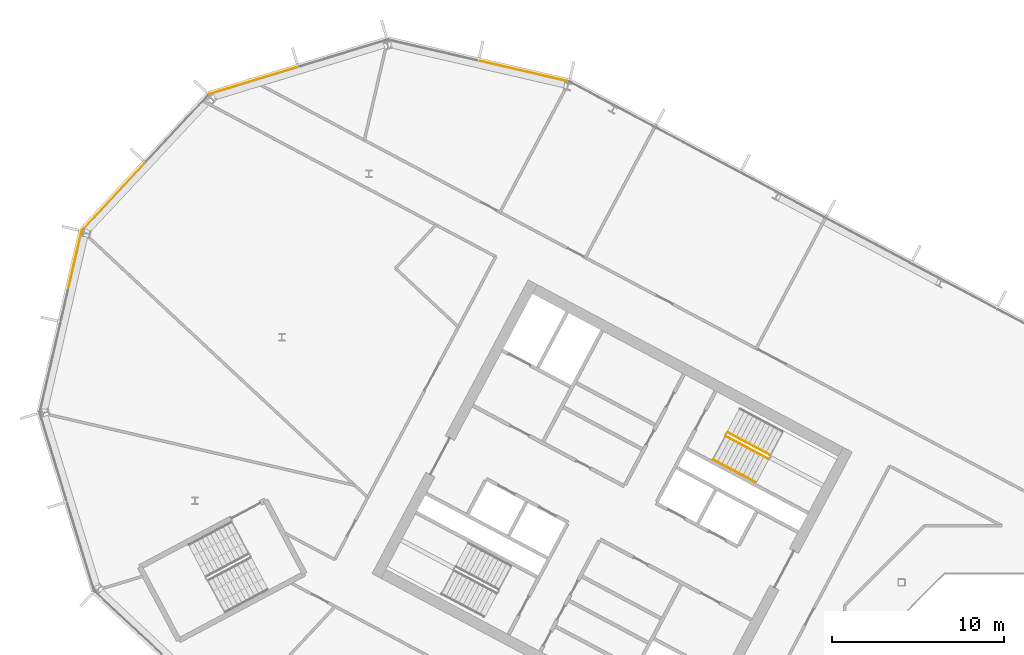
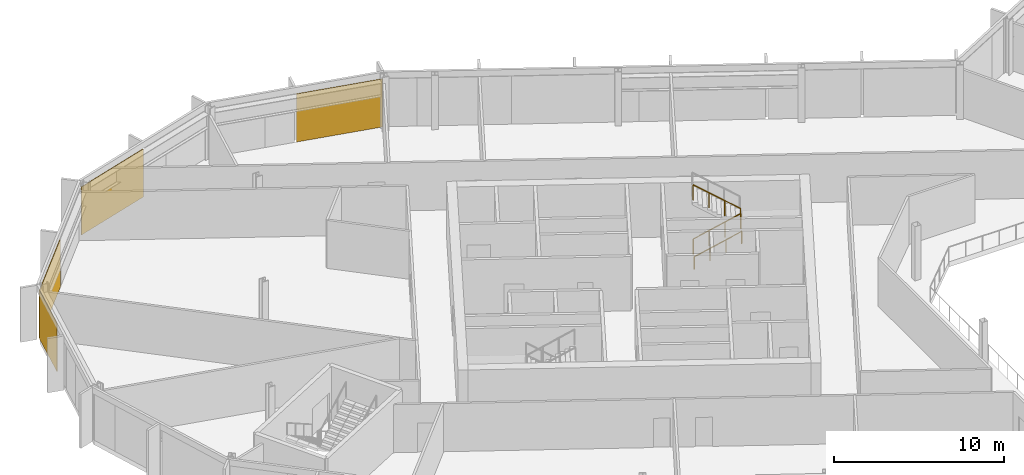
# One storey, part 21 of 26: 4 coverings, 3 railings, 4 elements without a shape of their own.
"""IFC4 building model written with IfcOpenShell, lengths in metres."""

from ifc_helpers import new_model, si_unit, direction, frame, origin, origin_2d, place, context, subcontext, project, spatial, polyline, rectangle, outline, extrude, material, layer, layer_set, type_object, element, aggregate, save


model = new_model("IFC4")

# Units and contexts
model_context = context("Model", 3, precision=1e-05, world=origin(), true_north=direction((0.0, 1.0)))
body_context = subcontext(model_context, "Body", "Model", "MODEL_VIEW")
ifc_project = project(units=[si_unit("LENGTHUNIT", "METRE"), si_unit("AREAUNIT", "SQUARE_METRE"), si_unit("VOLUMEUNIT", "CUBIC_METRE"), si_unit("PLANEANGLEUNIT", "RADIAN"), si_unit("MASSUNIT", "GRAM", prefix="KILO")], contexts=[model_context])

# Site, building, storey
site_placement = place(None, origin())
site = spatial("IfcSite", under=ifc_project, at=site_placement, CompositionType="ELEMENT")
building_placement = place(site_placement, origin())
building = spatial("IfcBuilding", under=site, at=building_placement, Name="Cormorant Relay Tower", CompositionType="ELEMENT")
storey_placement = place(building_placement, frame((0.0, 0.0, 248.10009765625)))
storey = spatial("IfcBuildingStorey", under=building, at=storey_placement, Name="L55", CompositionType="ELEMENT", Elevation=248.10009765625)

# Curtain wall, covering
ifc_material_1 = material(Name="Aluminium 6063-T6 anodised bronze", Category="aluminium")
ifc_layer_1 = layer(ifc_material_1, 0.199951171875)
ifc_layer_set_1 = layer_set([ifc_layer_1], Name="CW1 unitised bronze curtain wall with vertical fins")
curtain_wall_type = type_object("IfcCurtainWallType", Name="CW1 unitised bronze curtain wall with vertical fins", PredefinedType="NOTDEFINED", material=ifc_layer_set_1)
curtain_wall_1_placement = place(storey_placement, origin())
curtain_wall_1 = element("IfcCurtainWall", 1, at=curtain_wall_1_placement, inside=storey, type_object=curtain_wall_type, Name="CW1 curtain wall 10", PredefinedType="NOTDEFINED")
ifc_material_2 = material(Name="Pale bronze anodised aluminium insulated panel", Category="aluminium")
ifc_layer_2 = layer(ifc_material_2, 0.0400390625)
ifc_layer_set_2 = layer_set([ifc_layer_2], Name="CW1 pale bronze insulated panel 40")
covering_type = type_object("IfcCoveringType", Name="CW1 pale bronze insulated panel 40", PredefinedType="CLADDING", material=ifc_layer_set_2)
covering_1_placement = place(storey_placement, frame((-32.51708984375, 40.298828125, 0.0), z_axis=(0.0, 0.0, 1.0), x_axis=(-0.974370064785, 0.224951054344, 0.0)))
covering_1 = element("IfcCovering", 2, at=covering_1_placement, type_object=covering_type, Name="CW1 panel S00", PredefinedType="CLADDING", context=body_context, shape_type="SweptSolid", body=[
    extrude(rectangle(XDim=5.28515625, YDim=0.0400390625, at=origin_2d()), origin(), (0.0, 0.0, 1.0), 3.449951171875),
])
aggregate(curtain_wall_1, [covering_1])

curtain_wall_2_placement = place(storey_placement, origin())
curtain_wall_2 = element("IfcCurtainWall", 3, at=curtain_wall_2_placement, inside=storey, type_object=curtain_wall_type, Name="CW1 curtain wall 11", PredefinedType="NOTDEFINED")
covering_2_placement = place(storey_placement, frame((-48.3037109375, 39.73779296875, 0.0), z_axis=(0.0, 0.0, 1.0), x_axis=(-0.956304755963, -0.292371704723, 0.0)))
covering_2 = element("IfcCovering", 4, at=covering_2_placement, type_object=covering_type, Name="CW1 panel S02", PredefinedType="CLADDING", context=body_context, shape_type="SweptSolid", body=[
    extrude(rectangle(XDim=5.360107421875, YDim=0.0400390625, at=origin_2d()), origin(), (0.0, 0.0, 1.0), 3.449951171875),
])
aggregate(curtain_wall_2, [covering_2])

curtain_wall_3_placement = place(storey_placement, origin())
curtain_wall_3 = element("IfcCurtainWall", 5, at=curtain_wall_3_placement, inside=storey, type_object=curtain_wall_type, Name="CW1 curtain wall 12", PredefinedType="NOTDEFINED")
covering_3_placement = place(storey_placement, frame((-56.461181640625, 32.958984375, 0.0), z_axis=(0.0, 0.0, 1.0), x_axis=(-0.681998360062, -0.731353701619, 0.0)))
covering_3 = element("IfcCovering", 6, at=covering_3_placement, type_object=covering_type, Name="CW1 panel S01", PredefinedType="CLADDING", context=body_context, shape_type="SweptSolid", body=[
    extrude(rectangle(XDim=5.360107421875, YDim=0.0400390625, at=origin_2d()), origin(), (0.0, 0.0, 1.0), 3.449951171875),
])
aggregate(curtain_wall_3, [covering_3])

curtain_wall_4_placement = place(storey_placement, origin())
curtain_wall_4 = element("IfcCurtainWall", 7, at=curtain_wall_4_placement, inside=storey, type_object=curtain_wall_type, Name="CW1 curtain wall 13", PredefinedType="NOTDEFINED")
covering_4_placement = place(storey_placement, frame((-58.702880859375, 29.218505859375, 0.0), z_axis=(0.0, 0.0, 1.0), x_axis=(-0.224951054344, -0.974370064785, 0.0)))
covering_4 = element("IfcCovering", 8, at=covering_4_placement, type_object=covering_type, Name="CW1 panel S00", PredefinedType="CLADDING", context=body_context, shape_type="SweptSolid", body=[
    extrude(rectangle(XDim=3.485107421875, YDim=0.0400390625, at=origin_2d()), origin(), (0.0, 0.0, 1.0), 3.449951171875),
])
aggregate(curtain_wall_4, [covering_4])

# Railings
ifc_material_3 = material(Name="Steel ASTM A572 Grade 50 (Fy 345 MPa)", Category="steel")
railing_type_1 = type_object("IfcRailingType", Name="Stair guard 1100", PredefinedType="GUARDRAIL", material=ifc_material_3)
railing_1_placement = place(storey_placement, frame((-20.75048828125, 19.017822265625, 0.17724609375)))
element("IfcRailing", 9, at=railing_1_placement, inside=storey, type_object=railing_type_1, Name="L55 A1 stair guard 1", PredefinedType="GUARDRAIL", context=body_context, shape_type="SweptSolid", body=[
    extrude(outline(polyline([(0.022216796875, 0.00927734375), (0.00927734375, 0.022216796875), (-0.00927734375, 0.022216796875), (-0.022216796875, 0.00927734375), (-0.022216796875, -0.00927734375), (-0.00927734375, -0.022216796875), (0.00927734375, -0.022216796875), (0.022216796875, -0.00927734375), (0.022216796875, 0.00927734375)])), frame((0.0, 0.0, 1.076171875), z_axis=(0.746001213114, -0.396649272309, 0.534931345884), x_axis=(0.469465464807, 0.882950835185, 0.0)), (0.0, 0.0, 1.0), 3.31396484375),
    extrude(outline(polyline([(0.019287109375, 0.008056640625), (0.008056640625, 0.019287109375), (-0.008056640625, 0.019287109375), (-0.019287109375, 0.008056640625), (-0.019287109375, -0.008056640625), (-0.008056640625, -0.019287109375), (0.008056640625, -0.019287109375), (0.019287109375, -0.008056640625), (0.019287109375, 0.008056640625)])), origin(), (0.0, 0.0, 1.0), 1.052001953125),
    extrude(outline(polyline([(0.019287109375, 0.008056640625), (0.008056640625, 0.019287109375), (-0.008056640625, 0.019287109375), (-0.019287109375, 0.008056640625), (-0.019287109375, -0.008056640625), (-0.008056640625, -0.019287109375), (0.008056640625, -0.019287109375), (0.019287109375, -0.008056640625), (0.019287109375, 0.008056640625)])), frame((0.823974609375, -0.438232421875, 0.5908203125)), (0.0, 0.0, 1.0), 1.052001953125),
    extrude(outline(polyline([(0.019287109375, 0.008056640625), (0.008056640625, 0.019287109375), (-0.008056640625, 0.019287109375), (-0.019287109375, 0.008056640625), (-0.019287109375, -0.008056640625), (-0.008056640625, -0.019287109375), (0.008056640625, -0.019287109375), (0.019287109375, -0.008056640625), (0.019287109375, 0.008056640625)])), frame((1.648193359375, -0.876220703125, 1.181884765625)), (0.0, 0.0, 1.0), 1.052001953125),
    extrude(outline(polyline([(0.019287109375, 0.008056640625), (0.008056640625, 0.019287109375), (-0.008056640625, 0.019287109375), (-0.019287109375, 0.008056640625), (-0.019287109375, -0.008056640625), (-0.008056640625, -0.019287109375), (0.008056640625, -0.019287109375), (0.019287109375, -0.008056640625), (0.019287109375, 0.008056640625)])), frame((2.47216796875, -1.314453125, 1.772705078125)), (0.0, 0.0, 1.0), 1.052001953125),
])
railing_2_placement = place(storey_placement, frame((-18.160888671875, 17.924072265625, 2.127197265625)))
element("IfcRailing", 10, at=railing_2_placement, inside=storey, type_object=railing_type_1, Name="L55 A1 stair guard 3", PredefinedType="GUARDRAIL", context=body_context, shape_type="SweptSolid", body=[
    extrude(outline(polyline([(0.022216796875, 0.00927734375), (0.00927734375, 0.022216796875), (-0.00927734375, 0.022216796875), (-0.022216796875, 0.00927734375), (-0.022216796875, -0.00927734375), (-0.00927734375, -0.022216796875), (0.00927734375, -0.022216796875), (0.022216796875, -0.00927734375), (0.022216796875, 0.00927734375)])), frame((0.0, 0.0, 1.076171875), z_axis=(-0.746033882577, 0.396627473466, 0.534901947407), x_axis=(-0.469429322983, -0.882970050864, 0.0)), (0.0, 0.0, 1.0), 3.31396484375),
    extrude(outline(polyline([(0.019287109375, 0.008056640625), (0.008056640625, 0.019287109375), (-0.008056640625, 0.019287109375), (-0.019287109375, 0.008056640625), (-0.019287109375, -0.008056640625), (-0.008056640625, -0.019287109375), (0.008056640625, -0.019287109375), (0.019287109375, -0.008056640625), (0.019287109375, 0.008056640625)])), origin(), (0.0, 0.0, 1.0), 1.052001953125),
    extrude(outline(polyline([(0.019287109375, 0.008056640625), (0.008056640625, 0.019287109375), (-0.008056640625, 0.019287109375), (-0.019287109375, 0.008056640625), (-0.019287109375, -0.008056640625), (-0.008056640625, -0.019287109375), (0.008056640625, -0.019287109375), (0.019287109375, -0.008056640625), (0.019287109375, 0.008056640625)])), frame((-0.82421875, 0.438232421875, 0.5908203125)), (0.0, 0.0, 1.0), 1.052001953125),
    extrude(outline(polyline([(0.019287109375, 0.008056640625), (0.008056640625, 0.019287109375), (-0.008056640625, 0.019287109375), (-0.019287109375, 0.008056640625), (-0.019287109375, -0.008056640625), (-0.008056640625, -0.019287109375), (0.008056640625, -0.019287109375), (0.019287109375, -0.008056640625), (0.019287109375, 0.008056640625)])), frame((-1.648193359375, 0.876220703125, 1.181884765625)), (0.0, 0.0, 1.0), 1.052001953125),
    extrude(outline(polyline([(0.019287109375, 0.008056640625), (0.008056640625, 0.019287109375), (-0.008056640625, 0.019287109375), (-0.019287109375, 0.008056640625), (-0.019287109375, -0.008056640625), (-0.008056640625, -0.019287109375), (0.008056640625, -0.019287109375), (0.019287109375, -0.008056640625), (0.019287109375, 0.008056640625)])), frame((-2.472412109375, 1.314453125, 1.772705078125)), (0.0, 0.0, 1.0), 1.052001953125),
])
ifc_material_4 = material(Name="Steel ASTM A572 Grade 50 (Fy 345 MPa)", Category="steel")
railing_type_2 = type_object("IfcRailingType", Name="Stair handrail 900", PredefinedType="HANDRAIL", material=ifc_material_4)
railing_3_placement = place(storey_placement, frame((-21.478271484375, 17.6494140625, 0.17724609375)))
element("IfcRailing", 11, at=railing_3_placement, inside=storey, type_object=railing_type_2, Name="L55 A1 stair handrail 1", PredefinedType="HANDRAIL", context=body_context, shape_type="SweptSolid", body=[
    extrude(outline(polyline([(0.022216796875, 0.00927734375), (0.00927734375, 0.022216796875), (-0.00927734375, 0.022216796875), (-0.022216796875, 0.00927734375), (-0.022216796875, -0.00927734375), (-0.00927734375, -0.022216796875), (0.00927734375, -0.022216796875), (0.022216796875, -0.00927734375), (0.022216796875, 0.00927734375)])), frame((0.0, 0.0, 0.8759765625), z_axis=(0.746012083385, -0.396689549623, 0.534886317514), x_axis=(0.469497295046, 0.882933910293, 0.0)), (0.0, 0.0, 1.0), 3.314208984375),
    extrude(outline(polyline([(0.019287109375, 0.008056640625), (0.008056640625, 0.019287109375), (-0.008056640625, 0.019287109375), (-0.019287109375, 0.008056640625), (-0.019287109375, -0.008056640625), (-0.008056640625, -0.019287109375), (0.008056640625, -0.019287109375), (0.019287109375, -0.008056640625), (0.019287109375, 0.008056640625)])), origin(), (0.0, 0.0, 1.0), 0.851806640625),
    extrude(outline(polyline([(0.019287109375, 0.008056640625), (0.008056640625, 0.019287109375), (-0.008056640625, 0.019287109375), (-0.019287109375, 0.008056640625), (-0.019287109375, -0.008056640625), (-0.008056640625, -0.019287109375), (0.008056640625, -0.019287109375), (0.019287109375, -0.008056640625), (0.019287109375, 0.008056640625)])), frame((0.82421875, -0.438232421875, 0.5908203125)), (0.0, 0.0, 1.0), 0.851806640625),
    extrude(outline(polyline([(0.019287109375, 0.008056640625), (0.008056640625, 0.019287109375), (-0.008056640625, 0.019287109375), (-0.019287109375, 0.008056640625), (-0.019287109375, -0.008056640625), (-0.008056640625, -0.019287109375), (0.008056640625, -0.019287109375), (0.019287109375, -0.008056640625), (0.019287109375, 0.008056640625)])), frame((1.648193359375, -0.87646484375, 1.181884765625)), (0.0, 0.0, 1.0), 0.851806640625),
    extrude(outline(polyline([(0.019287109375, 0.008056640625), (0.008056640625, 0.019287109375), (-0.008056640625, 0.019287109375), (-0.019287109375, 0.008056640625), (-0.019287109375, -0.008056640625), (-0.008056640625, -0.019287109375), (0.008056640625, -0.019287109375), (0.019287109375, -0.008056640625), (0.019287109375, 0.008056640625)])), frame((2.472412109375, -1.314697265625, 1.772705078125)), (0.0, 0.0, 1.0), 0.851806640625),
])

save(model, "model.ifc")
